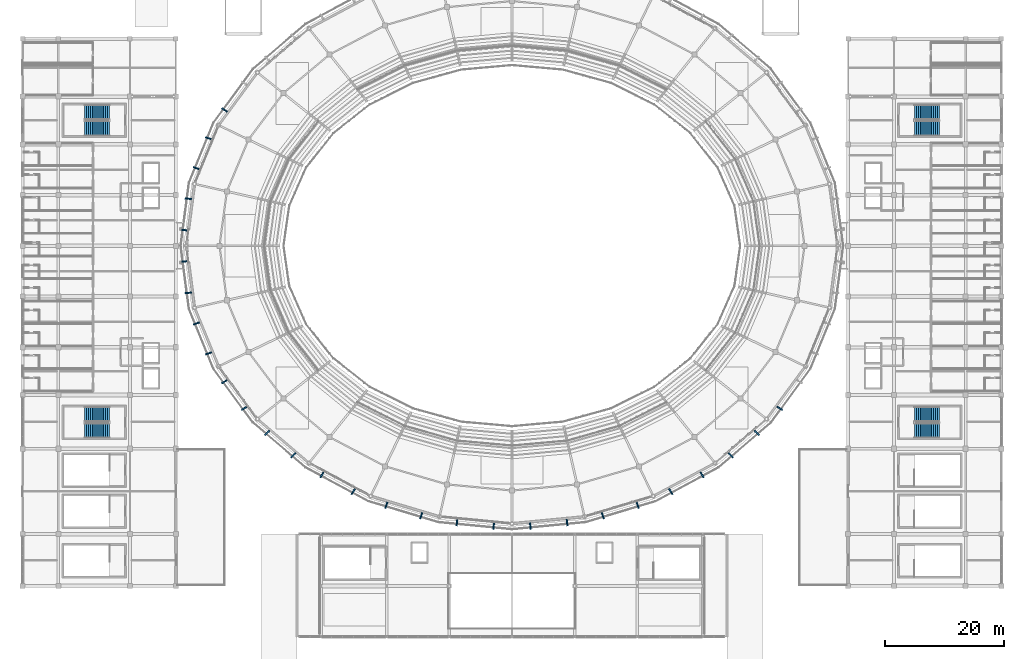
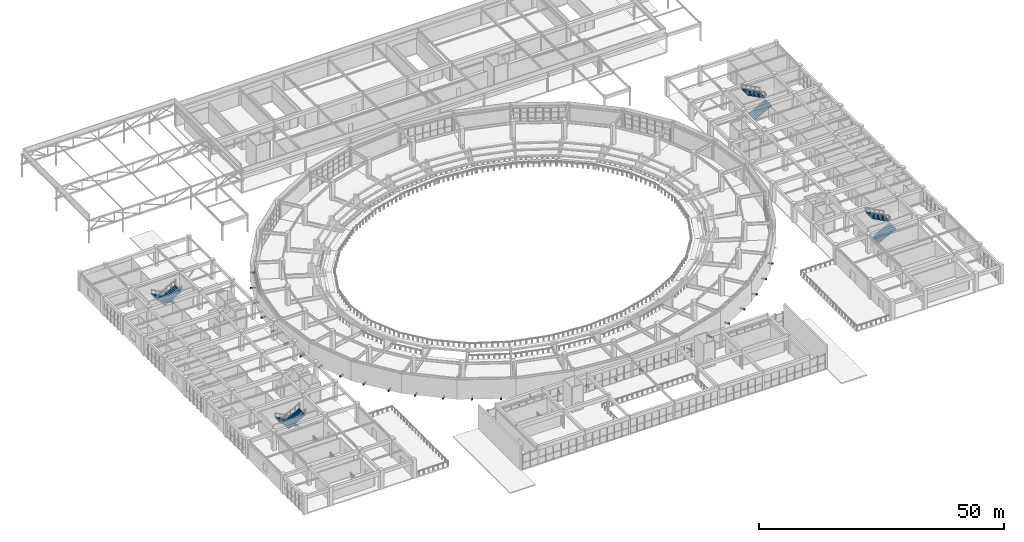
# One storey, part 109 of 122: 28 discrete accessories, 8 stair flights, 4 elements without a shape of their own.
"""IFC4 building model written with IfcOpenShell, lengths in metres."""

from ifc_helpers import new_model, si_unit, direction, frame, origin, origin_2d, place, context, subcontext, project, spatial, polyline, rectangle, outline, extrude, material, type_object, element, aggregate, save


model = new_model("IFC4")

# Units and contexts
model_context = context("Model", 3, precision=1e-05, world=origin(), true_north=direction((0.0, 1.0)))
body_context = subcontext(model_context, "Body", "Model", "MODEL_VIEW")
ifc_project = project(units=[si_unit("LENGTHUNIT", "METRE"), si_unit("AREAUNIT", "SQUARE_METRE"), si_unit("VOLUMEUNIT", "CUBIC_METRE"), si_unit("PLANEANGLEUNIT", "RADIAN"), si_unit("MASSUNIT", "GRAM", prefix="KILO")], contexts=[model_context])

# Site, building, storey
site_placement = place(None, origin())
site = spatial("IfcSite", under=ifc_project, at=site_placement, CompositionType="ELEMENT")
building_placement = place(site_placement, origin())
building = spatial("IfcBuilding", under=site, at=building_placement, Name="Cuetzalor Civic Arena", CompositionType="ELEMENT")
storey_placement = place(building_placement, frame((0.0, 0.0, 16.199951171875)))
storey = spatial("IfcBuildingStorey", under=building, at=storey_placement, Name="L03", CompositionType="ELEMENT", Elevation=16.199951171875)

# Stair, stair flights
ifc_material_1 = material(Name="Precast concrete C40/50", Category="concrete")
stair_type = type_object("IfcStairType", Name="EnclosedExitStair_H480", PredefinedType="HALF_TURN_STAIR", material=ifc_material_1)
stair_1_placement = place(storey_placement, origin())
stair_1 = element("IfcStair", 1, at=stair_1_placement, inside=storey, type_object=stair_type, Name="L03 Enclosed Exit Stair ST-16", PredefinedType="HALF_TURN_STAIR")
ifc_material_2 = material(Name="Precast concrete C40/50", Category="concrete")
stair_flight_type = type_object("IfcStairFlightType", Name="ExitStairFlight_H480", PredefinedType="STRAIGHT", material=ifc_material_2)
stair_flight_1_placement = place(storey_placement, frame((-67.449951171875, -28.25, 0.0), z_axis=(0.0, 0.0, 1.0), x_axis=(-1.0, 0.0, 0.0)))
stair_flight_1 = element("IfcStairFlight", 2, at=stair_flight_1_placement, type_object=stair_flight_type, Name="ST-16 flight 1", NumberOfRisers=14, NumberOfTreads=13, PredefinedType="STRAIGHT", RiserHeight=0.171428571, TreadLength=0.318, context=body_context, shape_type="SweptSolid", body=[
    extrude(outline(polyline([(0.0, 0.0), (0.0, 0.17138671875), (0.318115234375, 0.17138671875), (0.318115234375, 0.3427734375), (0.635986328125, 0.3427734375), (0.635986328125, 0.514404296875), (0.9541015625, 0.514404296875), (0.9541015625, 0.685791015625), (1.27197265625, 0.685791015625), (1.27197265625, 0.857177734375), (1.590087890625, 0.857177734375), (1.590087890625, 1.028564453125), (1.907958984375, 1.028564453125), (1.907958984375, 1.199951171875), (2.22607421875, 1.199951171875), (2.22607421875, 1.371337890625), (2.5439453125, 1.371337890625), (2.5439453125, 1.54296875), (2.862060546875, 1.54296875), (2.862060546875, 1.71435546875), (3.179931640625, 1.71435546875), (3.179931640625, 1.8857421875), (3.498046875, 1.8857421875), (3.498046875, 2.05712890625), (3.81591796875, 2.05712890625), (3.81591796875, 2.228515625), (4.134033203125, 2.228515625), (4.134033203125, 2.39990234375), (4.134033203125, 2.024169921875), (0.379150390625, 0.0), (0.0, 0.0)])), frame((0.0, 1.25, 0.0), z_axis=(0.0, -1.0, 0.0), x_axis=(1.0, 0.0, 0.0)), (0.0, 0.0, 1.0), 2.5),
])
stair_flight_2_placement = place(storey_placement, frame((-71.583984375, -30.949951171875, 2.400146484375), z_axis=(0.0, 0.0, 1.0), x_axis=(1.0, 0.0, 0.0)))
stair_flight_2 = element("IfcStairFlight", 3, at=stair_flight_2_placement, type_object=stair_flight_type, Name="ST-16 flight 2", NumberOfRisers=14, NumberOfTreads=13, PredefinedType="STRAIGHT", RiserHeight=0.171428571, TreadLength=0.318, context=body_context, shape_type="SweptSolid", body=[
    extrude(outline(polyline([(0.0, 0.0), (0.0, 0.17138671875), (0.318115234375, 0.17138671875), (0.318115234375, 0.3427734375), (0.635986328125, 0.3427734375), (0.635986328125, 0.514404296875), (0.9541015625, 0.514404296875), (0.9541015625, 0.685791015625), (1.27197265625, 0.685791015625), (1.27197265625, 0.857177734375), (1.590087890625, 0.857177734375), (1.590087890625, 1.028564453125), (1.907958984375, 1.028564453125), (1.907958984375, 1.199951171875), (2.22607421875, 1.199951171875), (2.22607421875, 1.371337890625), (2.5439453125, 1.371337890625), (2.5439453125, 1.54296875), (2.862060546875, 1.54296875), (2.862060546875, 1.71435546875), (3.179931640625, 1.71435546875), (3.179931640625, 1.8857421875), (3.498046875, 1.8857421875), (3.498046875, 2.05712890625), (3.81591796875, 2.05712890625), (3.81591796875, 2.228515625), (4.134033203125, 2.228515625), (4.134033203125, 2.39990234375), (4.134033203125, 2.024169921875), (0.379150390625, 0.0), (0.0, 0.0)])), frame((0.0, 1.25, 0.0), z_axis=(0.0, -1.0, 0.0), x_axis=(1.0, 0.0, 0.0)), (0.0, 0.0, 1.0), 2.5),
])
aggregate(stair_1, [stair_flight_1, stair_flight_2])

stair_2_placement = place(storey_placement, origin())
stair_2 = element("IfcStair", 4, at=stair_2_placement, inside=storey, type_object=stair_type, Name="L03 Enclosed Exit Stair ST-17", PredefinedType="HALF_TURN_STAIR")
stair_flight_3_placement = place(storey_placement, frame((-67.449951171875, 22.35009765625, 0.0), z_axis=(0.0, 0.0, 1.0), x_axis=(-1.0, 0.0, 0.0)))
stair_flight_3 = element("IfcStairFlight", 5, at=stair_flight_3_placement, type_object=stair_flight_type, Name="ST-17 flight 1", NumberOfRisers=14, NumberOfTreads=13, PredefinedType="STRAIGHT", RiserHeight=0.171428571, TreadLength=0.318, context=body_context, shape_type="SweptSolid", body=[
    extrude(outline(polyline([(0.0, 0.0), (0.0, 0.17138671875), (0.318115234375, 0.17138671875), (0.318115234375, 0.3427734375), (0.635986328125, 0.3427734375), (0.635986328125, 0.514404296875), (0.9541015625, 0.514404296875), (0.9541015625, 0.685791015625), (1.27197265625, 0.685791015625), (1.27197265625, 0.857177734375), (1.590087890625, 0.857177734375), (1.590087890625, 1.028564453125), (1.907958984375, 1.028564453125), (1.907958984375, 1.199951171875), (2.22607421875, 1.199951171875), (2.22607421875, 1.371337890625), (2.5439453125, 1.371337890625), (2.5439453125, 1.54296875), (2.862060546875, 1.54296875), (2.862060546875, 1.71435546875), (3.179931640625, 1.71435546875), (3.179931640625, 1.8857421875), (3.498046875, 1.8857421875), (3.498046875, 2.05712890625), (3.81591796875, 2.05712890625), (3.81591796875, 2.228515625), (4.134033203125, 2.228515625), (4.134033203125, 2.39990234375), (4.134033203125, 2.024169921875), (0.379150390625, 0.0), (0.0, 0.0)])), frame((0.0, 1.25, 0.0), z_axis=(0.0, -1.0, 0.0), x_axis=(1.0, 0.0, 0.0)), (0.0, 0.0, 1.0), 2.5),
])
stair_flight_4_placement = place(storey_placement, frame((-71.583984375, 19.64990234375, 2.400146484375), z_axis=(0.0, 0.0, 1.0), x_axis=(1.0, 0.0, 0.0)))
stair_flight_4 = element("IfcStairFlight", 6, at=stair_flight_4_placement, type_object=stair_flight_type, Name="ST-17 flight 2", NumberOfRisers=14, NumberOfTreads=13, PredefinedType="STRAIGHT", RiserHeight=0.171428571, TreadLength=0.318, context=body_context, shape_type="SweptSolid", body=[
    extrude(outline(polyline([(0.0, 0.0), (0.0, 0.17138671875), (0.318115234375, 0.17138671875), (0.318115234375, 0.3427734375), (0.635986328125, 0.3427734375), (0.635986328125, 0.514404296875), (0.9541015625, 0.514404296875), (0.9541015625, 0.685791015625), (1.27197265625, 0.685791015625), (1.27197265625, 0.857177734375), (1.590087890625, 0.857177734375), (1.590087890625, 1.028564453125), (1.907958984375, 1.028564453125), (1.907958984375, 1.199951171875), (2.22607421875, 1.199951171875), (2.22607421875, 1.371337890625), (2.5439453125, 1.371337890625), (2.5439453125, 1.54296875), (2.862060546875, 1.54296875), (2.862060546875, 1.71435546875), (3.179931640625, 1.71435546875), (3.179931640625, 1.8857421875), (3.498046875, 1.8857421875), (3.498046875, 2.05712890625), (3.81591796875, 2.05712890625), (3.81591796875, 2.228515625), (4.134033203125, 2.228515625), (4.134033203125, 2.39990234375), (4.134033203125, 2.024169921875), (0.379150390625, 0.0), (0.0, 0.0)])), frame((0.0, 1.25, 0.0), z_axis=(0.0, -1.0, 0.0), x_axis=(1.0, 0.0, 0.0)), (0.0, 0.0, 1.0), 2.5),
])
aggregate(stair_2, [stair_flight_3, stair_flight_4])

stair_3_placement = place(storey_placement, origin())
stair_3 = element("IfcStair", 7, at=stair_3_placement, inside=storey, type_object=stair_type, Name="L03 Enclosed Exit Stair ST-21", PredefinedType="HALF_TURN_STAIR")
stair_flight_5_placement = place(storey_placement, frame((67.449951171875, -30.949951171875, 0.0), z_axis=(0.0, 0.0, 1.0), x_axis=(1.0, 0.0, 0.0)))
stair_flight_5 = element("IfcStairFlight", 8, at=stair_flight_5_placement, type_object=stair_flight_type, Name="ST-21 flight 1", NumberOfRisers=14, NumberOfTreads=13, PredefinedType="STRAIGHT", RiserHeight=0.171428571, TreadLength=0.318, context=body_context, shape_type="SweptSolid", body=[
    extrude(outline(polyline([(0.0, 0.0), (0.0, 0.17138671875), (0.318115234375, 0.17138671875), (0.318115234375, 0.3427734375), (0.635986328125, 0.3427734375), (0.635986328125, 0.514404296875), (0.9541015625, 0.514404296875), (0.9541015625, 0.685791015625), (1.27197265625, 0.685791015625), (1.27197265625, 0.857177734375), (1.590087890625, 0.857177734375), (1.590087890625, 1.028564453125), (1.907958984375, 1.028564453125), (1.907958984375, 1.199951171875), (2.22607421875, 1.199951171875), (2.22607421875, 1.371337890625), (2.5439453125, 1.371337890625), (2.5439453125, 1.54296875), (2.862060546875, 1.54296875), (2.862060546875, 1.71435546875), (3.179931640625, 1.71435546875), (3.179931640625, 1.8857421875), (3.498046875, 1.8857421875), (3.498046875, 2.05712890625), (3.81591796875, 2.05712890625), (3.81591796875, 2.228515625), (4.134033203125, 2.228515625), (4.134033203125, 2.39990234375), (4.134033203125, 2.024169921875), (0.379150390625, 0.0), (0.0, 0.0)])), frame((0.0, 1.25, 0.0), z_axis=(0.0, -1.0, 0.0), x_axis=(1.0, 0.0, 0.0)), (0.0, 0.0, 1.0), 2.5),
])
stair_flight_6_placement = place(storey_placement, frame((71.583984375, -28.25, 2.400146484375), z_axis=(0.0, 0.0, 1.0), x_axis=(-1.0, 0.0, 0.0)))
stair_flight_6 = element("IfcStairFlight", 9, at=stair_flight_6_placement, type_object=stair_flight_type, Name="ST-21 flight 2", NumberOfRisers=14, NumberOfTreads=13, PredefinedType="STRAIGHT", RiserHeight=0.171428571, TreadLength=0.318, context=body_context, shape_type="SweptSolid", body=[
    extrude(outline(polyline([(0.0, 0.0), (0.0, 0.17138671875), (0.318115234375, 0.17138671875), (0.318115234375, 0.3427734375), (0.635986328125, 0.3427734375), (0.635986328125, 0.514404296875), (0.9541015625, 0.514404296875), (0.9541015625, 0.685791015625), (1.27197265625, 0.685791015625), (1.27197265625, 0.857177734375), (1.590087890625, 0.857177734375), (1.590087890625, 1.028564453125), (1.907958984375, 1.028564453125), (1.907958984375, 1.199951171875), (2.22607421875, 1.199951171875), (2.22607421875, 1.371337890625), (2.5439453125, 1.371337890625), (2.5439453125, 1.54296875), (2.862060546875, 1.54296875), (2.862060546875, 1.71435546875), (3.179931640625, 1.71435546875), (3.179931640625, 1.8857421875), (3.498046875, 1.8857421875), (3.498046875, 2.05712890625), (3.81591796875, 2.05712890625), (3.81591796875, 2.228515625), (4.134033203125, 2.228515625), (4.134033203125, 2.39990234375), (4.134033203125, 2.024169921875), (0.379150390625, 0.0), (0.0, 0.0)])), frame((0.0, 1.25, 0.0), z_axis=(0.0, -1.0, 0.0), x_axis=(1.0, 0.0, 0.0)), (0.0, 0.0, 1.0), 2.5),
])
aggregate(stair_3, [stair_flight_5, stair_flight_6])

stair_4_placement = place(storey_placement, origin())
stair_4 = element("IfcStair", 10, at=stair_4_placement, inside=storey, type_object=stair_type, Name="L03 Enclosed Exit Stair ST-22", PredefinedType="HALF_TURN_STAIR")
stair_flight_7_placement = place(storey_placement, frame((67.449951171875, 19.64990234375, 0.0), z_axis=(0.0, 0.0, 1.0), x_axis=(1.0, 0.0, 0.0)))
stair_flight_7 = element("IfcStairFlight", 11, at=stair_flight_7_placement, type_object=stair_flight_type, Name="ST-22 flight 1", NumberOfRisers=14, NumberOfTreads=13, PredefinedType="STRAIGHT", RiserHeight=0.171428571, TreadLength=0.318, context=body_context, shape_type="SweptSolid", body=[
    extrude(outline(polyline([(0.0, 0.0), (0.0, 0.17138671875), (0.318115234375, 0.17138671875), (0.318115234375, 0.3427734375), (0.635986328125, 0.3427734375), (0.635986328125, 0.514404296875), (0.9541015625, 0.514404296875), (0.9541015625, 0.685791015625), (1.27197265625, 0.685791015625), (1.27197265625, 0.857177734375), (1.590087890625, 0.857177734375), (1.590087890625, 1.028564453125), (1.907958984375, 1.028564453125), (1.907958984375, 1.199951171875), (2.22607421875, 1.199951171875), (2.22607421875, 1.371337890625), (2.5439453125, 1.371337890625), (2.5439453125, 1.54296875), (2.862060546875, 1.54296875), (2.862060546875, 1.71435546875), (3.179931640625, 1.71435546875), (3.179931640625, 1.8857421875), (3.498046875, 1.8857421875), (3.498046875, 2.05712890625), (3.81591796875, 2.05712890625), (3.81591796875, 2.228515625), (4.134033203125, 2.228515625), (4.134033203125, 2.39990234375), (4.134033203125, 2.024169921875), (0.379150390625, 0.0), (0.0, 0.0)])), frame((0.0, 1.25, 0.0), z_axis=(0.0, -1.0, 0.0), x_axis=(1.0, 0.0, 0.0)), (0.0, 0.0, 1.0), 2.5),
])
stair_flight_8_placement = place(storey_placement, frame((71.583984375, 22.35009765625, 2.400146484375), z_axis=(0.0, 0.0, 1.0), x_axis=(-1.0, 0.0, 0.0)))
stair_flight_8 = element("IfcStairFlight", 12, at=stair_flight_8_placement, type_object=stair_flight_type, Name="ST-22 flight 2", NumberOfRisers=14, NumberOfTreads=13, PredefinedType="STRAIGHT", RiserHeight=0.171428571, TreadLength=0.318, context=body_context, shape_type="SweptSolid", body=[
    extrude(outline(polyline([(0.0, 0.0), (0.0, 0.17138671875), (0.318115234375, 0.17138671875), (0.318115234375, 0.3427734375), (0.635986328125, 0.3427734375), (0.635986328125, 0.514404296875), (0.9541015625, 0.514404296875), (0.9541015625, 0.685791015625), (1.27197265625, 0.685791015625), (1.27197265625, 0.857177734375), (1.590087890625, 0.857177734375), (1.590087890625, 1.028564453125), (1.907958984375, 1.028564453125), (1.907958984375, 1.199951171875), (2.22607421875, 1.199951171875), (2.22607421875, 1.371337890625), (2.5439453125, 1.371337890625), (2.5439453125, 1.54296875), (2.862060546875, 1.54296875), (2.862060546875, 1.71435546875), (3.179931640625, 1.71435546875), (3.179931640625, 1.8857421875), (3.498046875, 1.8857421875), (3.498046875, 2.05712890625), (3.81591796875, 2.05712890625), (3.81591796875, 2.228515625), (4.134033203125, 2.228515625), (4.134033203125, 2.39990234375), (4.134033203125, 2.024169921875), (0.379150390625, 0.0), (0.0, 0.0)])), frame((0.0, 1.25, 0.0), z_axis=(0.0, -1.0, 0.0), x_axis=(1.0, 0.0, 0.0)), (0.0, 0.0, 1.0), 2.5),
])
aggregate(stair_4, [stair_flight_7, stair_flight_8])

# Discrete accessories
ifc_material_3 = material(Name="Steel S355", Category="steel")
discrete_accessory_type = type_object("IfcDiscreteAccessoryType", Name="ScreenOutriggerBracket_S355", PredefinedType="BRACKET", material=ifc_material_3)
for number, where, z_axis, x_axis, name in (
    (13, (-48.15478515625, 22.752685546875, -0.27001953125), (0.0, 0.0, 1.0), (-0.846657866138, 0.532137630417, 0.0), "Drum Screen Outrigger Bracket L03-0114"),
    (14, (-52.8671875, 13.017578125, -0.27001953125), (0.0, 0.0, 1.0), (-0.943858622852, 0.330349663339, 0.0), "Drum Screen Outrigger Bracket L03-0123"),
    (15, (-50.822998046875, 18.013916015625, -0.27001953125), (0.0, 0.0, 1.0), (-0.943858622852, 0.330349663339, 0.0), "Drum Screen Outrigger Bracket L03-0124"),
    (16, (-54.928466796875, 2.6298828125, -0.27001953125), (0.0, 0.0, 1.0), (-0.993709417943, 0.111989252568, 0.0), "Drum Screen Outrigger Bracket L03-0134"),
    (17, (-54.235595703125, 7.8896484375, -0.27001953125), (0.0, 0.0, 1.0), (-0.993709417943, 0.111989252568, 0.0), "Drum Screen Outrigger Bracket L03-0135"),
    (18, (-54.235595703125, -7.8896484375, -0.27001953125), (0.0, 0.0, 1.0), (-0.993709417943, -0.111989252568, 0.0), "Drum Screen Outrigger Bracket L03-0143"),
    (19, (-54.928466796875, -2.6298828125, -0.27001953125), (0.0, 0.0, 1.0), (-0.993709417943, -0.111989252568, 0.0), "Drum Screen Outrigger Bracket L03-0144"),
    (20, (-50.822998046875, -18.013916015625, -0.27001953125), (0.0, 0.0, 1.0), (-0.943858622852, -0.330349663339, 0.0), "Drum Screen Outrigger Bracket L03-0154"),
    (21, (-52.8671875, -13.017578125, -0.27001953125), (0.0, 0.0, 1.0), (-0.943858622852, -0.330349663339, 0.0), "Drum Screen Outrigger Bracket L03-0155"),
    (22, (-44.862060546875, -27.234619140625, -0.27001953125), (0.0, 0.0, 1.0), (-0.846657866138, -0.532137630417, 0.0), "Drum Screen Outrigger Bracket L03-0163"),
    (23, (-48.15478515625, -22.752685546875, -0.27001953125), (0.0, 0.0, 1.0), (-0.846657866138, -0.532137630417, 0.0), "Drum Screen Outrigger Bracket L03-0164"),
    (24, (-36.651611328125, -35.089599609375, -0.27001953125), (0.0, 0.0, 1.0), (-0.707106781187, -0.707106781187, 0.0), "Drum Screen Outrigger Bracket L03-0174"),
    (25, (-41.027587890625, -31.346923828125, -0.27001953125), (0.0, 0.0, 1.0), (-0.707106781187, -0.707106781187, 0.0), "Drum Screen Outrigger Bracket L03-0175"),
    (26, (-26.60302734375, -41.185302734375, -0.27001953125), (0.0, 0.0, 1.0), (-0.531989852639, -0.84675072878, 0.0), "Drum Screen Outrigger Bracket L03-0183"),
    (27, (-31.84326171875, -38.369140625, -0.27001953125), (0.0, 0.0, 1.0), (-0.531989852639, -0.84675072878, 0.0), "Drum Screen Outrigger Bracket L03-0184"),
    (28, (-15.220703125, -45.215576171875, -0.27001953125), (0.0, 0.0, 1.0), (-0.330184923902, -0.943916265369, 0.0), "Drum Screen Outrigger Bracket L03-0194"),
    (29, (-21.06201171875, -43.46728515625, -0.27001953125), (0.0, 0.0, 1.0), (-0.330184923902, -0.943916265369, 0.0), "Drum Screen Outrigger Bracket L03-0195"),
    (30, (-3.074951171875, -46.978759765625, -0.27001953125), (0.0, 0.0, 1.0), (-0.111989252568, -0.993709417943, 0.0), "Drum Screen Outrigger Bracket L03-0203"),
    (31, (-9.224853515625, -46.385986328125, -0.27001953125), (0.0, 0.0, 1.0), (-0.111989252568, -0.993709417943, 0.0), "Drum Screen Outrigger Bracket L03-0204"),
    (32, (9.224853515625, -46.385986328125, -0.27001953125), (0.0, 0.0, 1.0), (0.111989252568, -0.993709417943, 0.0), "Drum Screen Outrigger Bracket L03-0214"),
    (33, (3.074951171875, -46.978759765625, -0.27001953125), (0.0, 0.0, 1.0), (0.111989252568, -0.993709417943, 0.0), "Drum Screen Outrigger Bracket L03-0215"),
    (34, (21.06201171875, -43.46728515625, -0.27001953125), (0.0, 0.0, 1.0), (0.330184923902, -0.943916265369, 0.0), "Drum Screen Outrigger Bracket L03-0223"),
    (35, (15.220703125, -45.215576171875, -0.27001953125), (0.0, 0.0, 1.0), (0.330184923902, -0.943916265369, 0.0), "Drum Screen Outrigger Bracket L03-0224"),
    (36, (31.84326171875, -38.369140625, -0.27001953125), (0.0, 0.0, 1.0), (0.531989852639, -0.84675072878, 0.0), "Drum Screen Outrigger Bracket L03-0234"),
    (37, (26.60302734375, -41.185302734375, -0.27001953125), (0.0, 0.0, 1.0), (0.531989852639, -0.84675072878, 0.0), "Drum Screen Outrigger Bracket L03-0235"),
    (38, (41.027587890625, -31.346923828125, -0.27001953125), (0.0, 0.0, 1.0), (0.707106781187, -0.707106781187, 0.0), "Drum Screen Outrigger Bracket L03-0243"),
    (39, (36.651611328125, -35.089599609375, -0.27001953125), (0.0, 0.0, 1.0), (0.707106781187, -0.707106781187, 0.0), "Drum Screen Outrigger Bracket L03-0244"),
    (40, (44.862060546875, -27.234619140625, -0.27001953125), (0.0, 0.0, 1.0), (0.846657866138, -0.532137630417, 0.0), "Drum Screen Outrigger Bracket L03-0255"),
):
    element("IfcDiscreteAccessory", number, at=place(storey_placement, frame(where, z_axis=z_axis, x_axis=x_axis)), inside=storey, type_object=discrete_accessory_type, Name=name, PredefinedType="BRACKET", context=body_context, shape_type="SweptSolid", body=[
        extrude(rectangle(XDim=1.10009765625, YDim=0.239990234375, at=origin_2d()), origin(), (0.0, 0.0, 1.0), 0.260009765625),
    ])

save(model, "model.ifc")
